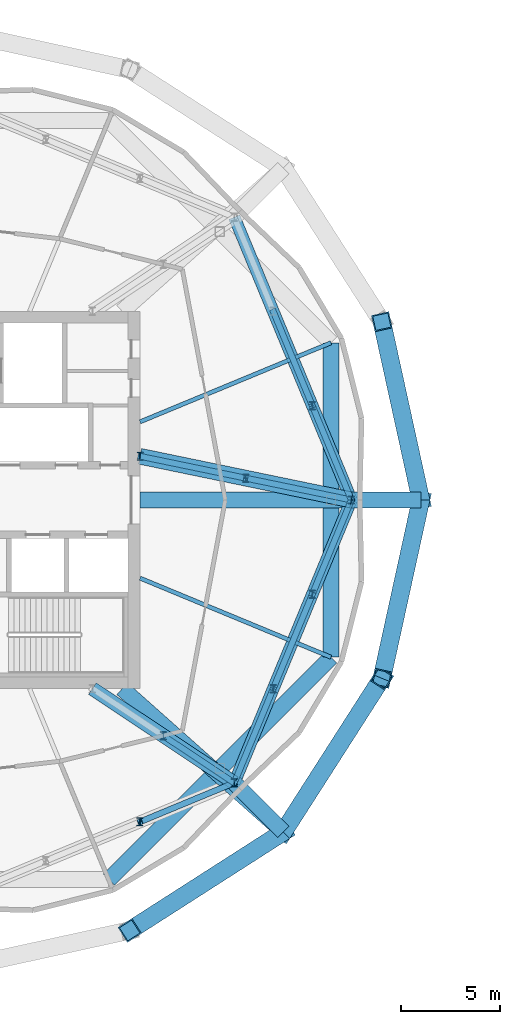
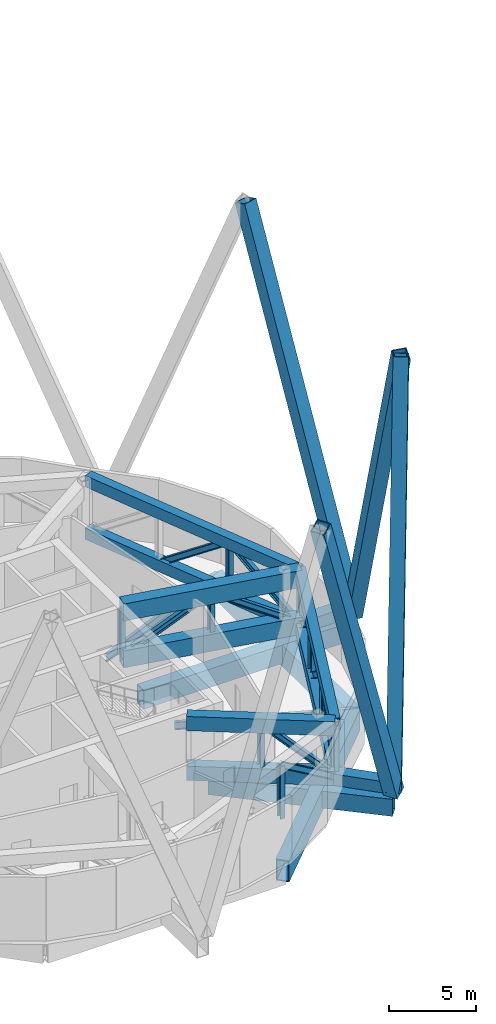
# One storey, part 5 of 19: 30 members, 8 beams.
"""IFC4 building model written with IfcOpenShell, lengths in metres."""

from ifc_helpers import new_model, si_unit, direction, frame, origin, origin_2d, place, context, subcontext, project, spatial, hollow_rectangle, i_section, extrude, material, material_profile, profile_set, type_object, element, save


model = new_model("IFC4")

# Units and contexts
model_context = context("Model", 3, precision=1e-05, world=origin(), true_north=direction((0.0, 1.0)))
body_context = subcontext(model_context, "Body", "Model", "MODEL_VIEW")
ifc_project = project(units=[si_unit("LENGTHUNIT", "METRE"), si_unit("AREAUNIT", "SQUARE_METRE"), si_unit("VOLUMEUNIT", "CUBIC_METRE"), si_unit("PLANEANGLEUNIT", "RADIAN"), si_unit("MASSUNIT", "GRAM", prefix="KILO")], contexts=[model_context])

# Site, building, storey
site_placement = place(None, origin())
site = spatial("IfcSite", under=ifc_project, at=site_placement, CompositionType="ELEMENT")
building_placement = place(site_placement, origin())
building = spatial("IfcBuilding", under=site, at=building_placement, Name="Ogive Gate Towers", CompositionType="ELEMENT")
storey_placement = place(building_placement, frame((0.0, 0.0, 216.300048828125)))
storey = spatial("IfcBuildingStorey", under=building, at=storey_placement, Name="L52", CompositionType="ELEMENT", Elevation=216.300048828125)

# Members
ifc_material_1 = material(Name="Steel SM460", Category="steel")
ifc_material_profile_1 = material_profile(ifc_material_1, hollow_rectangle(XDim=0.89990234375, YDim=0.89990234375, WallThickness=0.06005859375, at=origin_2d()), Name="BX 900x900x60")
ifc_profile_set_1 = profile_set([ifc_material_profile_1], Name="Steel SM460")
member_type_1 = type_object("IfcMemberType", Name="Diagrid diagonal BX 900x900x60", PredefinedType="BRACE", material=ifc_profile_set_1)
for number, where, z_axis, x_axis, name in (
    (1, (-12.360107421875, 0.0, 0.0), (-0.075657502601, -0.345566183474, 0.935339486571), (0.976861702074, -0.21387195941, 0.0), "T1/L52/SDG001"),
    (2, (-12.360107421875, 0.0, 0.0), (-0.075657502601, 0.345566183474, 0.935339486571), (-0.976861702074, -0.21387195941, 0.0), "T1/L52/SDG002"),
    (3, (-19.283935546875, -16.716064453125, 0.0), (-0.297855932112, -0.190849196279, 0.935338670207), (0.539497618887, -0.841987125326, 0.0), "T1/L52/SDG015"),
    (4, (-19.283935546875, -16.716064453125, 0.0), (0.190849196279, 0.297855932112, 0.935338670207), (-0.841987125326, 0.539497618887, 0.0), "T1/L52/SDG016"),
):
    element("IfcMember", number, at=place(storey_placement, frame(where, z_axis=z_axis, x_axis=x_axis)), inside=storey, type_object=member_type_1, Name=name, PredefinedType="BRACE", context=body_context, shape_type="SweptSolid", body=[
        extrude(hollow_rectangle(XDim=0.89990234375, YDim=0.89990234375, WallThickness=0.06005859375, at=origin_2d()), origin(), (0.0, 0.0, 1.0), 25.97998046875),
    ])

# Beams
ifc_material_profile_2 = material_profile(ifc_material_1, hollow_rectangle(XDim=0.800048828125, YDim=1.5, WallThickness=0.06005859375, at=origin_2d()), Name="BX 1500x800x60")
ifc_profile_set_2 = profile_set([ifc_material_profile_2], Name="Steel SM460")
beam_type_1 = type_object("IfcBeamType", Name="Edge girder BX 1500x800x60", PredefinedType="BEAM", material=ifc_profile_set_2)
beam_1_placement = place(storey_placement, frame((-28.082275390625, -19.114990234375, -1.050048828125), z_axis=(0.707106781187, 0.707106781187, 0.0), x_axis=(-0.707106781187, 0.707106781187, 0.0)))
element("IfcBeam", 5, at=beam_1_placement, inside=storey, type_object=beam_type_1, Name="T1/L52/SBM019", PredefinedType="BEAM", context=body_context, shape_type="SweptSolid", body=[
    extrude(hollow_rectangle(XDim=0.800048828125, YDim=1.5, WallThickness=0.06005859375, at=origin_2d()), origin(), (0.0, 0.0, 1.0), 15.835205078125),
])
beam_2_placement = place(storey_placement, frame((-16.885009765625, -7.917724609375, -1.050048828125), z_axis=(0.0, 1.0, 0.0), x_axis=(-1.0, 0.0, 0.0)))
element("IfcBeam", 6, at=beam_2_placement, inside=storey, type_object=beam_type_1, Name="T1/L52/SBM020", PredefinedType="BEAM", context=body_context, shape_type="SweptSolid", body=[
    extrude(hollow_rectangle(XDim=0.800048828125, YDim=1.5, WallThickness=0.06005859375, at=origin_2d()), origin(), (0.0, 0.0, 1.0), 15.83544921875),
])
ifc_material_profile_3 = material_profile(ifc_material_1, hollow_rectangle(XDim=0.800048828125, YDim=0.800048828125, WallThickness=0.050048828125, at=origin_2d()), Name="BX 800x800x50")
ifc_profile_set_3 = profile_set([ifc_material_profile_3], Name="Steel SM460")
beam_type_2 = type_object("IfcBeamType", Name="Node arm BX 800x800x50", PredefinedType="BEAM", material=ifc_profile_set_3)
for number, where, z_axis, x_axis, name in (
    (7, (-15.860107421875, 0.0, 0.449951171875), (1.0, 0.0, 0.0), (0.0, 1.0, 0.0), "T1/L52/SBM025"),
    (8, (-21.7587890625, -14.2412109375, 0.449951171875), (0.707106781187, -0.707106781187, 0.0), (0.707106781187, 0.707106781187, 0.0), "T1/L52/SBM032"),
):
    element("IfcBeam", number, at=place(storey_placement, frame(where, z_axis=z_axis, x_axis=x_axis)), inside=storey, type_object=beam_type_2, Name=name, PredefinedType="BEAM", context=body_context, shape_type="SweptSolid", body=[
        extrude(hollow_rectangle(XDim=0.800048828125, YDim=0.800048828125, WallThickness=0.050048828125, at=origin_2d()), origin(), (0.0, 0.0, 1.0), 3.5),
    ])
ifc_material_2 = material(Name="Steel SM355", Category="steel")
ifc_material_profile_4 = material_profile(ifc_material_2, i_section(OverallWidth=0.2099609375, OverallDepth=0.550048828125, WebThickness=0.010986328125, FlangeThickness=0.01708984375, FilletRadius=0.02392578125, at=origin_2d()), Name="IPE 550")
ifc_profile_set_4 = profile_set([ifc_material_profile_4], Name="Steel SM355")
beam_type_3 = type_object("IfcBeamType", Name="Radial floor beam IPE 550", PredefinedType="BEAM", material=ifc_profile_set_4)
for number, where, z_axis, x_axis, name in (
    (9, (-26.5, -3.93505859375, -0.574951171875), (0.92387930631, -0.382683978464, 0.0), (0.382683978464, 0.92387930631, 0.0), "T1/L52/SBM007"),
    (10, (-26.5, 3.93505859375, -0.574951171875), (0.92387930631, 0.382683978464, 0.0), (-0.382683978464, 0.92387930631, 0.0), "T1/L52/SBM009"),
):
    element("IfcBeam", number, at=place(storey_placement, frame(where, z_axis=z_axis, x_axis=x_axis)), inside=storey, type_object=beam_type_3, Name=name, PredefinedType="BEAM", context=body_context, shape_type="SweptSolid", body=[
        extrude(i_section(OverallWidth=0.2099609375, OverallDepth=0.550048828125, WebThickness=0.010986328125, FlangeThickness=0.01708984375, FilletRadius=0.02392578125, at=origin_2d()), origin(), (0.0, 0.0, 1.0), 10.4072265625),
    ])
ifc_material_profile_5 = material_profile(ifc_material_1, hollow_rectangle(XDim=0.800048828125, YDim=1.199951171875, WallThickness=0.050048828125, at=origin_2d()), Name="BX 1200x800x50")
ifc_profile_set_5 = profile_set([ifc_material_profile_5], Name="Steel SM460")
beam_type_4 = type_object("IfcBeamType", Name="Transfer radial beam BX 1200x800x50", PredefinedType="BEAM", material=ifc_profile_set_5)
beam_3_placement = place(storey_placement, frame((-27.39990234375, -9.5, -0.900146484375), z_axis=(0.747323731033, -0.664460112449, 0.0), x_axis=(0.664460112449, 0.747323731033, 0.0)))
element("IfcBeam", 11, at=beam_3_placement, inside=storey, type_object=beam_type_4, Name="T1/L52/SBM006", PredefinedType="BEAM", context=body_context, shape_type="SweptSolid", body=[
    extrude(hollow_rectangle(XDim=0.800048828125, YDim=1.199951171875, WallThickness=0.050048828125, at=origin_2d()), origin(), (0.0, 0.0, 1.0), 10.860107421875),
])
ifc_material_profile_6 = material_profile(ifc_material_1, hollow_rectangle(XDim=0.800048828125, YDim=1.300048828125, WallThickness=0.050048828125, at=origin_2d()), Name="BX 1300x800x50")
ifc_profile_set_6 = profile_set([ifc_material_profile_6], Name="Steel SM460")
beam_type_5 = type_object("IfcBeamType", Name="Transfer radial beam BX 1300x800x50", PredefinedType="BEAM", material=ifc_profile_set_6)
beam_4_placement = place(storey_placement, frame((-26.5, 0.0, -0.949951171875), z_axis=(1.0, 0.0, 0.0), x_axis=(0.0, 1.0, 0.0)))
element("IfcBeam", 12, at=beam_4_placement, inside=storey, type_object=beam_type_5, Name="T1/L52/SBM008", PredefinedType="BEAM", context=body_context, shape_type="SweptSolid", body=[
    extrude(hollow_rectangle(XDim=0.800048828125, YDim=1.300048828125, WallThickness=0.050048828125, at=origin_2d()), origin(), (0.0, 0.0, 1.0), 14.139892578125),
])

# Members
ifc_material_profile_7 = material_profile(ifc_material_1, hollow_rectangle(XDim=0.699951171875, YDim=1.0, WallThickness=0.050048828125, at=origin_2d()), Name="BX 1000x700x50")
ifc_profile_set_7 = profile_set([ifc_material_profile_7], Name="Steel SM460")
member_type_2 = type_object("IfcMemberType", Name="Truss chord BX 1000x700x50", PredefinedType="CHORD", material=ifc_profile_set_7)
for number, where, z_axis, x_axis, name in (
    (13, (-28.89990234375, -9.5, 0.5), (0.833100444522, -0.55312173103, 0.0), (0.55312173103, 0.833100444522, 0.0), "T1/L52/STR107"),
    (14, (-28.89990234375, -9.5, 4.0), (0.833100444522, -0.55312173103, 0.0), (0.55312173103, 0.833100444522, 0.0), "T1/L52/STR108"),
):
    element("IfcMember", number, at=place(storey_placement, frame(where, z_axis=z_axis, x_axis=x_axis)), inside=storey, type_object=member_type_2, Name=name, PredefinedType="CHORD", context=body_context, shape_type="SweptSolid", body=[
        extrude(hollow_rectangle(XDim=0.699951171875, YDim=1.0, WallThickness=0.050048828125, at=origin_2d()), origin(), (0.0, 0.0, 1.0), 8.57177734375),
    ])
ifc_material_profile_8 = material_profile(ifc_material_1, hollow_rectangle(XDim=0.800048828125, YDim=1.199951171875, WallThickness=0.050048828125, at=origin_2d()), Name="BX 1200x800x50")
ifc_profile_set_8 = profile_set([ifc_material_profile_8], Name="Steel SM460")
member_type_3 = type_object("IfcMemberType", Name="Truss chord BX 1200x800x50", PredefinedType="CHORD", material=ifc_profile_set_8)
for number, where, z_axis, x_axis, name in (
    (15, (-26.5, 2.199951171875, 0.599853515625), (0.979286084876, -0.202481515129, 0.0), (0.202481515129, 0.979286084876, 0.0), "T1/L52/STR010"),
    (16, (-26.5, 2.199951171875, 3.89990234375), (0.979286084876, -0.202481515129, 0.0), (0.202481515129, 0.979286084876, 0.0), "T1/L52/STR011"),
):
    element("IfcMember", number, at=place(storey_placement, frame(where, z_axis=z_axis, x_axis=x_axis)), inside=storey, type_object=member_type_3, Name=name, PredefinedType="CHORD", context=body_context, shape_type="SweptSolid", body=[
        extrude(hollow_rectangle(XDim=0.800048828125, YDim=1.199951171875, WallThickness=0.050048828125, at=origin_2d()), origin(), (0.0, 0.0, 1.0), 10.864990234375),
    ])
ifc_material_profile_9 = material_profile(ifc_material_1, hollow_rectangle(XDim=0.60009765625, YDim=0.800048828125, WallThickness=0.0400390625, at=origin_2d()), Name="BX 800x600x40")
ifc_profile_set_9 = profile_set([ifc_material_profile_9], Name="Steel SM460")
member_type_4 = type_object("IfcMemberType", Name="Truss chord BX 800x600x40", PredefinedType="CHORD", material=ifc_profile_set_9)
for number, where, z_axis, x_axis, name in (
    (17, (-15.860107421875, 0.0, 0.39990234375), (-0.382671190687, 0.923884603085, 0.0), (-0.923884603085, -0.382671190687, 0.0), "T1/L52/STR001"),
    (18, (-15.860107421875, 0.0, 4.099853515625), (-0.382671190687, 0.923884603085, 0.0), (-0.923884603085, -0.382671190687, 0.0), "T1/L52/STR002"),
    (19, (-21.7587890625, -14.2412109375, 0.39990234375), (0.382671190687, 0.923884603085, 0.0), (-0.923884603085, 0.382671190687, 0.0), "T1/L52/STR100"),
    (20, (-21.7587890625, -14.2412109375, 4.099853515625), (0.382671190687, 0.923884603085, 0.0), (-0.923884603085, 0.382671190687, 0.0), "T1/L52/STR101"),
):
    element("IfcMember", number, at=place(storey_placement, frame(where, z_axis=z_axis, x_axis=x_axis)), inside=storey, type_object=member_type_4, Name=name, PredefinedType="CHORD", context=body_context, shape_type="SweptSolid", body=[
        extrude(hollow_rectangle(XDim=0.60009765625, YDim=0.800048828125, WallThickness=0.0400390625, at=origin_2d()), origin(), (0.0, 0.0, 1.0), 15.41455078125),
    ])
ifc_material_profile_10 = material_profile(ifc_material_1, i_section(OverallWidth=0.300048828125, OverallDepth=0.39990234375, WebThickness=0.013427734375, FlangeThickness=0.02392578125, FilletRadius=0.027099609375, at=origin_2d()), Name="HE 400 B")
ifc_profile_set_10 = profile_set([ifc_material_profile_10], Name="Steel SM460")
member_type_5 = type_object("IfcMemberType", Name="Truss diagonal HE 400 B", PredefinedType="BRACE", material=ifc_profile_set_10)
member_1_placement = place(storey_placement, frame((-15.860107421875, 0.0, 0.39990234375), z_axis=(-0.310514020445, 0.749737316967, 0.584358621613), x_axis=(-0.923895801957, -0.382644152086, 0.0)))
element("IfcMember", 21, at=member_1_placement, inside=storey, type_object=member_type_5, Name="T1/L52/STR003", PredefinedType="BRACE", context=body_context, shape_type="SweptSolid", body=[
    extrude(i_section(OverallWidth=0.300048828125, OverallDepth=0.39990234375, WebThickness=0.013427734375, FlangeThickness=0.02392578125, FilletRadius=0.027099609375, at=origin_2d()), origin(), (0.0, 0.0, 1.0), 6.33154296875),
])
member_2_placement = place(storey_placement, frame((-17.826171875, 4.7470703125, 4.099853515625), z_axis=(-0.310548860821, 0.74972833993, -0.58435162475), x_axis=(-0.923879003455, -0.382684709619, 0.0)))
element("IfcMember", 22, at=member_2_placement, inside=storey, type_object=member_type_5, Name="T1/L52/STR004", PredefinedType="BRACE", context=body_context, shape_type="SweptSolid", body=[
    extrude(i_section(OverallWidth=0.300048828125, OverallDepth=0.39990234375, WebThickness=0.013427734375, FlangeThickness=0.02392578125, FilletRadius=0.027099609375, at=origin_2d()), origin(), (0.0, 0.0, 1.0), 6.331787109375),
])
member_3_placement = place(storey_placement, frame((-26.5, 2.199951171875, 0.599853515625), z_axis=(0.836969672007, -0.173032369895, 0.519173927609), x_axis=(0.202455510679, 0.979291461311, 0.0)))
element("IfcMember", 23, at=member_3_placement, inside=storey, type_object=member_type_5, Name="T1/L52/STR012", PredefinedType="BRACE", context=body_context, shape_type="SweptSolid", body=[
    extrude(i_section(OverallWidth=0.300048828125, OverallDepth=0.39990234375, WebThickness=0.013427734375, FlangeThickness=0.02392578125, FilletRadius=0.027099609375, at=origin_2d()), origin(), (0.0, 0.0, 1.0), 6.3564453125),
])
member_4_placement = place(storey_placement, frame((-21.179931640625, 1.10009765625, 3.89990234375), z_axis=(0.836952605331, -0.173075192273, -0.519187166877), x_axis=(0.202507520343, 0.979280707563, 0.0)))
element("IfcMember", 24, at=member_4_placement, inside=storey, type_object=member_type_5, Name="T1/L52/STR013", PredefinedType="BRACE", context=body_context, shape_type="SweptSolid", body=[
    extrude(i_section(OverallWidth=0.300048828125, OverallDepth=0.39990234375, WebThickness=0.013427734375, FlangeThickness=0.02392578125, FilletRadius=0.027099609375, at=origin_2d()), origin(), (0.0, 0.0, 1.0), 6.356201171875),
])
for number, where, z_axis, x_axis, name in (
    (25, (-26.505859375, -16.20751953125, 4.099853515625), (0.74972833993, 0.310548860821, -0.58435162475), (-0.382684709619, 0.923879003455, 0.0), "T1/L52/STR090"),
    (26, (-21.7587890625, -14.2412109375, 0.39990234375), (0.310548860821, 0.74972833993, 0.58435162475), (-0.923879003455, 0.382684709619, 0.0), "T1/L52/STR102"),
    (27, (-19.79248046875, -9.494140625, 4.099853515625), (0.310548860821, 0.74972833993, -0.58435162475), (-0.923879003455, 0.382684709619, 0.0), "T1/L52/STR103"),
):
    element("IfcMember", number, at=place(storey_placement, frame(where, z_axis=z_axis, x_axis=x_axis)), inside=storey, type_object=member_type_5, Name=name, PredefinedType="BRACE", context=body_context, shape_type="SweptSolid", body=[
        extrude(i_section(OverallWidth=0.300048828125, OverallDepth=0.39990234375, WebThickness=0.013427734375, FlangeThickness=0.02392578125, FilletRadius=0.027099609375, at=origin_2d()), origin(), (0.0, 0.0, 1.0), 6.331787109375),
    ])
member_5_placement = place(storey_placement, frame((-17.826171875, -4.7470703125, 4.099853515625), z_axis=(0.310514020445, 0.749737316967, -0.584358621613), x_axis=(-0.923895801957, 0.382644152086, 0.0)))
element("IfcMember", 28, at=member_5_placement, inside=storey, type_object=member_type_5, Name="T1/L52/STR104", PredefinedType="BRACE", context=body_context, shape_type="SweptSolid", body=[
    extrude(i_section(OverallWidth=0.300048828125, OverallDepth=0.39990234375, WebThickness=0.013427734375, FlangeThickness=0.02392578125, FilletRadius=0.027099609375, at=origin_2d()), origin(), (0.0, 0.0, 1.0), 6.33154296875),
])
member_6_placement = place(storey_placement, frame((-25.329345703125, -11.87060546875, 4.0), z_axis=(0.645272182139, -0.428416607766, -0.632521162609), x_axis=(0.55312173103, 0.833100444522, 0.0)))
element("IfcMember", 29, at=member_6_placement, inside=storey, type_object=member_type_5, Name="T1/L52/STR110", PredefinedType="BRACE", context=body_context, shape_type="SweptSolid", body=[
    extrude(i_section(OverallWidth=0.300048828125, OverallDepth=0.39990234375, WebThickness=0.013427734375, FlangeThickness=0.02392578125, FilletRadius=0.027099609375, at=origin_2d()), origin(), (0.0, 0.0, 1.0), 5.533447265625),
])
ifc_material_profile_11 = material_profile(ifc_material_1, i_section(OverallWidth=0.300048828125, OverallDepth=0.39990234375, WebThickness=0.013427734375, FlangeThickness=0.02392578125, FilletRadius=0.027099609375, at=origin_2d()), Name="HE 400 B")
ifc_profile_set_11 = profile_set([ifc_material_profile_11], Name="Steel SM460")
member_type_6 = type_object("IfcMemberType", Name="Truss post HE 400 B", PredefinedType="POST", material=ifc_profile_set_11)
for number, where, z_axis, x_axis, name in (
    (30, (-15.860107421875, 0.0, 0.39990234375), (0.0, 0.0, 1.0), (1.0, 0.0, 0.0), "T1/L52/STR006"),
    (31, (-17.826171875, 4.7470703125, 0.39990234375), (0.0, 0.0, 1.0), (1.0, 0.0, 0.0), "T1/L52/STR007"),
):
    element("IfcMember", number, at=place(storey_placement, frame(where, z_axis=z_axis, x_axis=x_axis)), inside=storey, type_object=member_type_6, Name=name, PredefinedType="POST", context=body_context, shape_type="SweptSolid", body=[
        extrude(i_section(OverallWidth=0.300048828125, OverallDepth=0.39990234375, WebThickness=0.013427734375, FlangeThickness=0.02392578125, FilletRadius=0.027099609375, at=origin_2d()), origin(), (0.0, 0.0, 1.0), 3.699951171875),
    ])
for number, where, z_axis, x_axis, name in (
    (32, (-26.5, 2.199951171875, 0.599853515625), (0.0, 0.0, 1.0), (1.0, 0.0, 0.0), "T1/L52/STR014"),
    (33, (-21.179931640625, 1.10009765625, 0.599853515625), (0.0, 0.0, 1.0), (1.0, 0.0, 0.0), "T1/L52/STR015"),
):
    element("IfcMember", number, at=place(storey_placement, frame(where, z_axis=z_axis, x_axis=x_axis)), inside=storey, type_object=member_type_6, Name=name, PredefinedType="POST", context=body_context, shape_type="SweptSolid", body=[
        extrude(i_section(OverallWidth=0.300048828125, OverallDepth=0.39990234375, WebThickness=0.013427734375, FlangeThickness=0.02392578125, FilletRadius=0.027099609375, at=origin_2d()), origin(), (0.0, 0.0, 1.0), 3.300048828125),
    ])
for number, where, z_axis, x_axis, name in (
    (34, (-26.505859375, -16.20751953125, 0.39990234375), (0.0, 0.0, 1.0), (1.0, 0.0, 0.0), "T1/L52/STR092"),
    (35, (-21.7587890625, -14.2412109375, 0.39990234375), (0.0, 0.0, 1.0), (1.0, 0.0, 0.0), "T1/L52/STR093"),
    (36, (-19.79248046875, -9.494140625, 0.39990234375), (0.0, 0.0, 1.0), (1.0, 0.0, 0.0), "T1/L52/STR105"),
    (37, (-17.826171875, -4.7470703125, 0.39990234375), (0.0, 0.0, 1.0), (1.0, 0.0, 0.0), "T1/L52/STR106"),
):
    element("IfcMember", number, at=place(storey_placement, frame(where, z_axis=z_axis, x_axis=x_axis)), inside=storey, type_object=member_type_6, Name=name, PredefinedType="POST", context=body_context, shape_type="SweptSolid", body=[
        extrude(i_section(OverallWidth=0.300048828125, OverallDepth=0.39990234375, WebThickness=0.013427734375, FlangeThickness=0.02392578125, FilletRadius=0.027099609375, at=origin_2d()), origin(), (0.0, 0.0, 1.0), 3.699951171875),
    ])
member_7_placement = place(storey_placement, frame((-25.329345703125, -11.87060546875, 0.5), z_axis=(0.0, 0.0, 1.0), x_axis=(1.0, 0.0, 0.0)))
element("IfcMember", 38, at=member_7_placement, inside=storey, type_object=member_type_6, Name="T1/L52/STR112", PredefinedType="POST", context=body_context, shape_type="SweptSolid", body=[
    extrude(i_section(OverallWidth=0.300048828125, OverallDepth=0.39990234375, WebThickness=0.013427734375, FlangeThickness=0.02392578125, FilletRadius=0.027099609375, at=origin_2d()), origin(), (0.0, 0.0, 1.0), 3.5),
])

save(model, "model.ifc")
